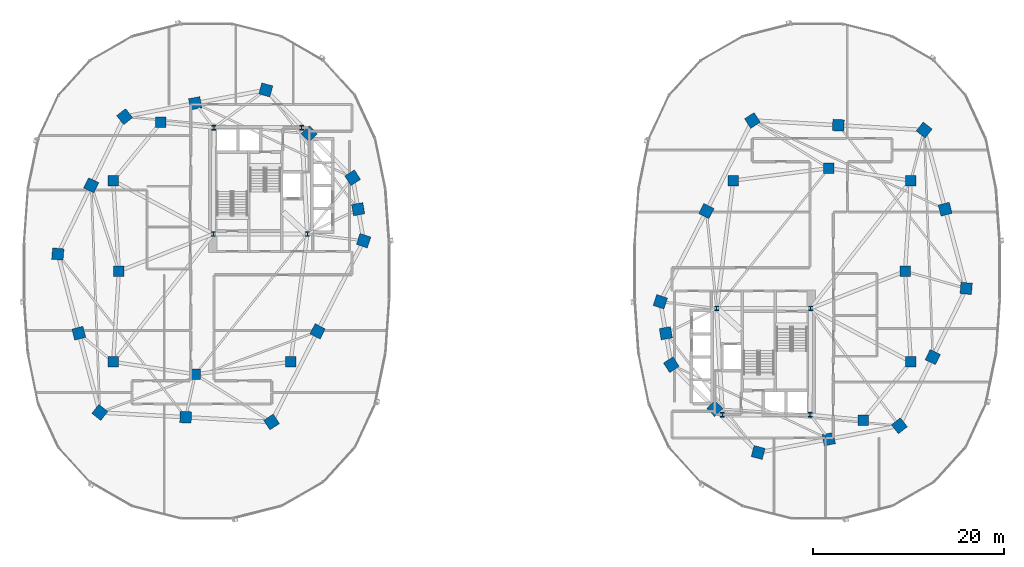
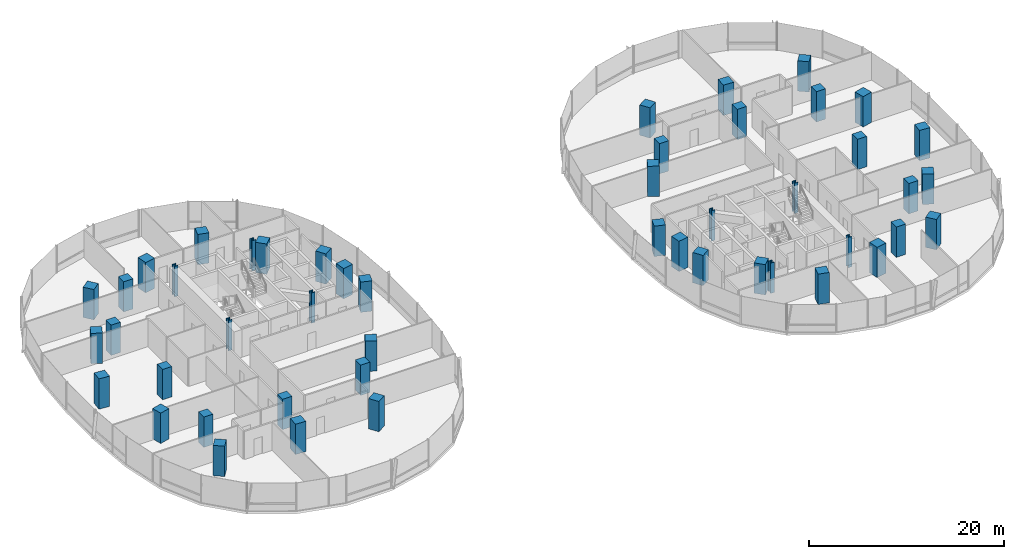
# One storey, part 1 of 22: 48 columns.
"""IFC4 building model written with IfcOpenShell, lengths in metres."""

from ifc_helpers import new_model, si_unit, direction, frame, origin, origin_2d, place, context, subcontext, project, spatial, rectangle, i_section, extrude, material, material_profile, profile_set, type_object, element, save


model = new_model("IFC4")

# Units and contexts
model_context = context("Model", 3, precision=1e-05, world=origin(), true_north=direction((0.0, 1.0)))
body_context = subcontext(model_context, "Body", "Model", "MODEL_VIEW")
ifc_project = project(units=[si_unit("LENGTHUNIT", "METRE"), si_unit("AREAUNIT", "SQUARE_METRE"), si_unit("VOLUMEUNIT", "CUBIC_METRE"), si_unit("PLANEANGLEUNIT", "RADIAN"), si_unit("MASSUNIT", "GRAM", prefix="KILO"), si_unit("THERMODYNAMICTEMPERATUREUNIT", "KELVIN"), si_unit("POWERUNIT", "WATT")], contexts=[model_context])

# Site, building, storey
site_placement = place(None, origin())
site = spatial("IfcSite", under=ifc_project, at=site_placement, CompositionType="ELEMENT")
building_placement = place(site_placement, origin())
building = spatial("IfcBuilding", under=site, at=building_placement, Name="Cundina Bronze Exchange", CompositionType="ELEMENT")
storey_placement = place(building_placement, frame((0.0, 0.0, 43.0)))
storey = spatial("IfcBuildingStorey", under=building, at=storey_placement, Name="L10", CompositionType="ELEMENT", Elevation=43.0)

# Columns
ifc_material_1 = material(Name="Steel ASTM A992 Grade 50", Category="steel")
ifc_material_profile_1 = material_profile(ifc_material_1, i_section(OverallWidth=0.431884765625, OverallDepth=0.498046875, WebThickness=0.0556640625, FlangeThickness=0.0888671875, FilletRadius=0.01806640625, at=origin_2d()), Name="W14X500", Category="steel")
ifc_profile_set_1 = profile_set([ifc_material_profile_1], Name="Steel ASTM A992 Grade 50")
column_type_1 = type_object("IfcColumnType", Name="COL-STL-W14A", PredefinedType="COLUMN", material=ifc_profile_set_1)
for number, where, z_axis, x_axis, name in (
    (1, (-31.300048828125, 3.89990234375, 0.0), (0.0, 0.0, 1.0), (1.0, 0.0, 0.0), "L10 Core Anchor Column W1"),
    (2, (-21.449951171875, 3.89990234375, 0.0), (0.0, 0.0, 1.0), (1.0, 0.0, 0.0), "L10 Core Anchor Column W2"),
    (3, (-22.050048828125, 15.050048828125, 0.0), (0.0, 0.0, 1.0), (1.0, 0.0, 0.0), "L10 Core Anchor Column W3"),
    (4, (-31.25, 15.050048828125, 0.0), (0.0, 0.0, 1.0), (1.0, 0.0, 0.0), "L10 Core Anchor Column W4"),
    (5, (31.300048828125, -3.89990234375, 0.0), (0.0, 0.0, 1.0), (1.0, 0.0, 0.0), "L10 Core Anchor Column E1"),
    (6, (21.449951171875, -3.89990234375, 0.0), (0.0, 0.0, 1.0), (1.0, 0.0, 0.0), "L10 Core Anchor Column E2"),
    (7, (22.050048828125, -15.050048828125, 0.0), (0.0, 0.0, 1.0), (1.0, 0.0, 0.0), "L10 Core Anchor Column E3"),
    (8, (31.25, -15.050048828125, 0.0), (0.0, 0.0, 1.0), (1.0, 0.0, 0.0), "L10 Core Anchor Column E4"),
):
    element("IfcColumn", number, at=place(storey_placement, frame(where, z_axis=z_axis, x_axis=x_axis)), inside=storey, type_object=column_type_1, Name=name, PredefinedType="COLUMN", context=body_context, shape_type="SweptSolid", body=[
        extrude(i_section(OverallWidth=0.431884765625, OverallDepth=0.498046875, WebThickness=0.0556640625, FlangeThickness=0.0888671875, FilletRadius=0.01806640625, at=origin_2d()), origin(), (0.0, 0.0, 1.0), 3.800048828125),
    ])
ifc_material_2 = material(Name="Concrete C60/75", Category="concrete")
ifc_material_profile_2 = material_profile(ifc_material_2, rectangle(XDim=1.199951171875, YDim=1.199951171875, at=origin_2d()), Name="RC1200X1200", Category="concrete")
ifc_profile_set_2 = profile_set([ifc_material_profile_2], Name="Concrete C60/75")
column_type_2 = type_object("IfcColumnType", Name="COL-Z1-1200", PredefinedType="COLUMN", material=ifc_profile_set_2)
for number, where, z_axis, x_axis, name in (
    (9, (-15.550048828125, 3.199951171875, 0.0), (0.0, 0.0, 1.0), (0.315152163383, 0.949041155016, 0.0), "L10 W Perimeter Column 00"),
    (10, (-16.125, 6.5, 0.0), (0.0, 0.0, 1.0), (-0.171585221787, 0.985169280715, 0.0), "L10 W Perimeter Column 01"),
    (11, (-16.699951171875, 9.800048828125, 0.0), (0.0, 0.0, 1.0), (-0.544199833495, 0.838955625301, 0.0), "L10 W Perimeter Column 02"),
    (12, (-21.25, 14.39990234375, 0.0), (0.0, 0.0, 1.0), (-0.703270634186, 0.710922228581, 0.0), "L10 W Perimeter Column 03"),
    (13, (-25.800048828125, 19.0, 0.0), (0.0, 0.0, 1.0), (-0.965970984022, 0.258650455301, 0.0), "L10 W Perimeter Column 04"),
    (14, (-33.199951171875, 17.60009765625, 0.0), (0.0, 0.0, 1.0), (-0.98258037664, -0.185838110843, 0.0), "L10 W Perimeter Column 05"),
    (15, (-40.60009765625, 16.199951171875, 0.0), (0.0, 0.0, 1.0), (-0.785100778485, -0.619368038909, 0.0), "L10 W Perimeter Column 06"),
    (16, (-44.10009765625, 9.0, 0.0), (0.0, 0.0, 1.0), (-0.437115766651, -0.899405251566, 0.0), "L10 W Perimeter Column 07"),
    (17, (-47.60009765625, 1.800048828125, 0.0), (0.0, 0.0, 1.0), (-0.083503921245, -0.996507448611, 0.0), "L10 W Perimeter Column 08"),
    (18, (-45.39990234375, -6.5, 0.0), (0.0, 0.0, 1.0), (0.256289373133, -0.966600102017, 0.0), "L10 W Perimeter Column 09"),
    (19, (-43.199951171875, -14.800048828125, 0.0), (0.0, 0.0, 1.0), (0.786288432137, -0.61785961309, 0.0), "L10 W Perimeter Column 10"),
    (20, (-34.199951171875, -15.300048828125, 0.0), (0.0, 0.0, 1.0), (0.998460188734, -0.055472980025, 0.0), "L10 W Perimeter Column 11"),
    (21, (-25.199951171875, -15.800048828125, 0.0), (0.0, 0.0, 1.0), (0.838099763533, 0.545516989988, 0.0), "L10 W Perimeter Column 12"),
    (22, (-20.375, -6.300048828125, 0.0), (0.0, 0.0, 1.0), (0.452901591366, 0.891560513111, 0.0), "L10 W Perimeter Column 13"),
    (23, (15.550048828125, -3.199951171875, 0.0), (0.0, 0.0, 1.0), (-0.315152163383, -0.949041155016, 0.0), "L10 E Perimeter Column 00"),
    (24, (16.125, -6.5, 0.0), (0.0, 0.0, 1.0), (0.171585221787, -0.985169280715, 0.0), "L10 E Perimeter Column 01"),
    (25, (16.699951171875, -9.800048828125, 0.0), (0.0, 0.0, 1.0), (0.544199833495, -0.838955625301, 0.0), "L10 E Perimeter Column 02"),
    (26, (21.25, -14.39990234375, 0.0), (0.0, 0.0, 1.0), (0.703270634186, -0.710922228581, 0.0), "L10 E Perimeter Column 03"),
    (27, (25.800048828125, -19.0, 0.0), (0.0, 0.0, 1.0), (0.965970984022, -0.258650455301, 0.0), "L10 E Perimeter Column 04"),
    (28, (33.199951171875, -17.60009765625, 0.0), (0.0, 0.0, 1.0), (0.98258037664, 0.185838110843, 0.0), "L10 E Perimeter Column 05"),
    (29, (40.60009765625, -16.199951171875, 0.0), (0.0, 0.0, 1.0), (0.785100778485, 0.619368038909, 0.0), "L10 E Perimeter Column 06"),
    (30, (44.10009765625, -9.0, 0.0), (0.0, 0.0, 1.0), (0.437115766651, 0.899405251566, 0.0), "L10 E Perimeter Column 07"),
    (31, (47.60009765625, -1.800048828125, 0.0), (0.0, 0.0, 1.0), (0.083503921245, 0.996507448611, 0.0), "L10 E Perimeter Column 08"),
    (32, (45.39990234375, 6.5, 0.0), (0.0, 0.0, 1.0), (-0.256289373133, 0.966600102017, 0.0), "L10 E Perimeter Column 09"),
    (33, (43.199951171875, 14.800048828125, 0.0), (0.0, 0.0, 1.0), (-0.786288432137, 0.61785961309, 0.0), "L10 E Perimeter Column 10"),
    (34, (34.199951171875, 15.300048828125, 0.0), (0.0, 0.0, 1.0), (-0.998460188734, 0.055472980025, 0.0), "L10 E Perimeter Column 11"),
    (35, (25.199951171875, 15.800048828125, 0.0), (0.0, 0.0, 1.0), (-0.838099763533, -0.545516989988, 0.0), "L10 E Perimeter Column 12"),
    (36, (20.375, 6.300048828125, 0.0), (0.0, 0.0, 1.0), (-0.452901591366, -0.891560513111, 0.0), "L10 E Perimeter Column 13"),
):
    element("IfcColumn", number, at=place(storey_placement, frame(where, z_axis=z_axis, x_axis=x_axis)), inside=storey, type_object=column_type_2, Name=name, PredefinedType="COLUMN", context=body_context, shape_type="SweptSolid", body=[
        extrude(rectangle(XDim=1.199951171875, YDim=1.199951171875, at=origin_2d()), origin(), (0.0, 0.0, 1.0), 3.800048828125),
    ])
ifc_material_profile_3 = material_profile(ifc_material_2, rectangle(XDim=1.10009765625, YDim=1.10009765625, at=origin_2d()), Name="RC1100X1100", Category="concrete")
ifc_profile_set_3 = profile_set([ifc_material_profile_3], Name="Concrete C60/75")
column_type_3 = type_object("IfcColumnType", Name="COL-Z2-1100", PredefinedType="COLUMN", material=ifc_profile_set_3)
for number, where, z_axis, x_axis, name in (
    (37, (-41.199951171875, 0.0, 0.0), (0.0, 0.0, 1.0), (1.0, 0.0, 0.0), "L10 W Inner Ring Column 1"),
    (38, (-41.800048828125, 9.5, 0.0), (0.0, 0.0, 1.0), (1.0, 0.0, 0.0), "L10 W Inner Ring Column 2"),
    (39, (-36.800048828125, 15.60009765625, 0.0), (0.0, 0.0, 1.0), (1.0, 0.0, 0.0), "L10 W Inner Ring Column 3"),
    (40, (-41.800048828125, -9.5, 0.0), (0.0, 0.0, 1.0), (1.0, 0.0, 0.0), "L10 W Inner Ring Column 4"),
    (41, (-33.199951171875, -10.800048828125, 0.0), (0.0, 0.0, 1.0), (1.0, 0.0, 0.0), "L10 W Inner Ring Column 5"),
    (42, (-23.199951171875, -9.5, 0.0), (0.0, 0.0, 1.0), (1.0, 0.0, 0.0), "L10 W Inner Ring Column 6"),
    (43, (41.199951171875, 0.0, 0.0), (0.0, 0.0, 1.0), (1.0, 0.0, 0.0), "L10 E Inner Ring Column 1"),
    (44, (41.800048828125, -9.5, 0.0), (0.0, 0.0, 1.0), (1.0, 0.0, 0.0), "L10 E Inner Ring Column 2"),
    (45, (36.800048828125, -15.60009765625, 0.0), (0.0, 0.0, 1.0), (1.0, 0.0, 0.0), "L10 E Inner Ring Column 3"),
    (46, (41.800048828125, 9.5, 0.0), (0.0, 0.0, 1.0), (1.0, 0.0, 0.0), "L10 E Inner Ring Column 4"),
    (47, (33.199951171875, 10.800048828125, 0.0), (0.0, 0.0, 1.0), (1.0, 0.0, 0.0), "L10 E Inner Ring Column 5"),
    (48, (23.199951171875, 9.5, 0.0), (0.0, 0.0, 1.0), (1.0, 0.0, 0.0), "L10 E Inner Ring Column 6"),
):
    element("IfcColumn", number, at=place(storey_placement, frame(where, z_axis=z_axis, x_axis=x_axis)), inside=storey, type_object=column_type_3, Name=name, PredefinedType="COLUMN", context=body_context, shape_type="SweptSolid", body=[
        extrude(rectangle(XDim=1.10009765625, YDim=1.10009765625, at=origin_2d()), origin(), (0.0, 0.0, 1.0), 3.800048828125),
    ])

save(model, "model.ifc")
